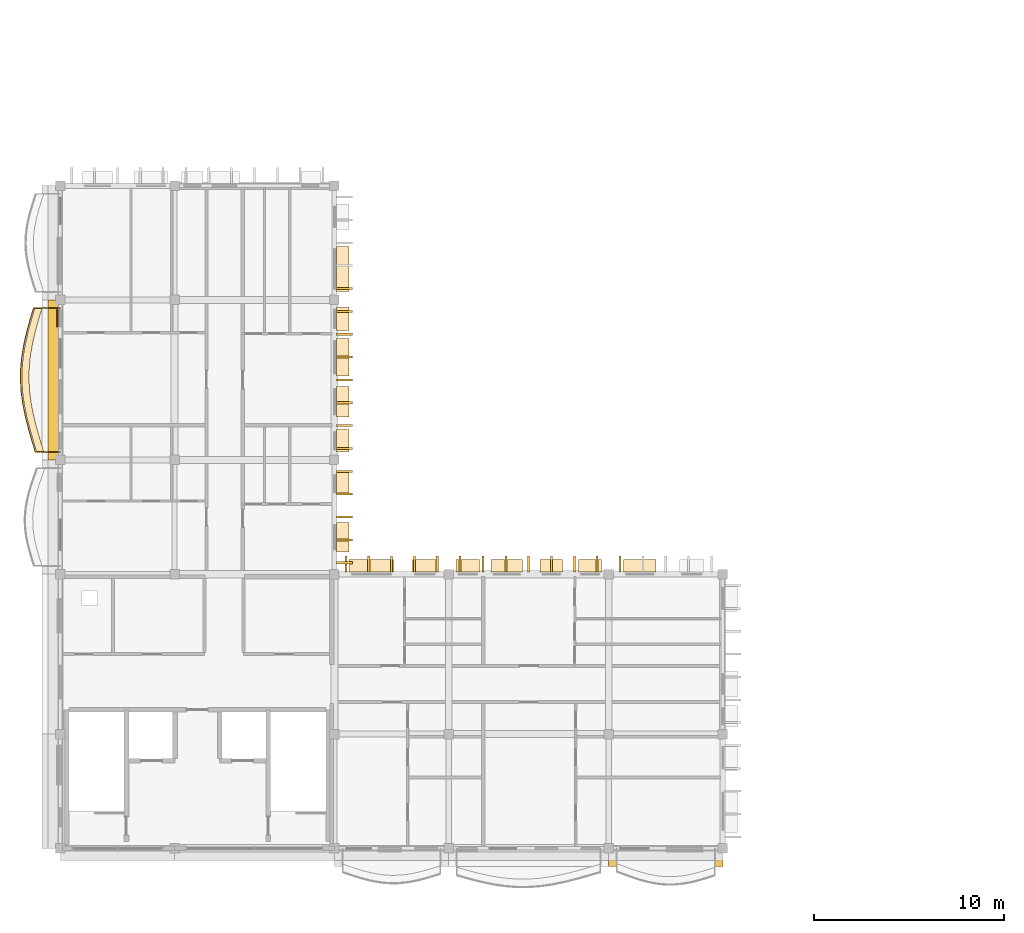
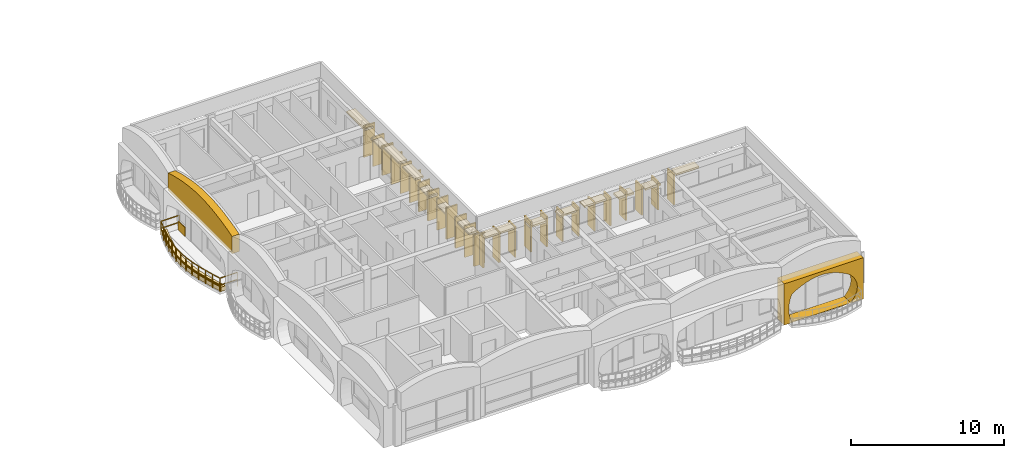
# One storey, part 31 of 45: 44 coverings, 1 railing.
"""IFC4 building model written with IfcOpenShell, lengths in metres."""

from ifc_helpers import new_model, si_unit, direction, frame, origin, origin_2d, place, context, subcontext, project, spatial, polyline, rectangle, outline, extrude, material, layer, layer_set, type_object, element, save


model = new_model("IFC4")

# Units and contexts
model_context = context("Model", 3, precision=1e-05, world=origin(), true_north=direction((0.0, 1.0)))
body_context = subcontext(model_context, "Body", "Model", "MODEL_VIEW")
ifc_project = project(units=[si_unit("LENGTHUNIT", "METRE"), si_unit("AREAUNIT", "SQUARE_METRE"), si_unit("VOLUMEUNIT", "CUBIC_METRE"), si_unit("PLANEANGLEUNIT", "RADIAN"), si_unit("MASSUNIT", "GRAM", prefix="KILO"), si_unit("THERMODYNAMICTEMPERATUREUNIT", "KELVIN")], contexts=[model_context])

# Site, building, storey
site_placement = place(None, origin())
site = spatial("IfcSite", under=ifc_project, at=site_placement, CompositionType="ELEMENT")
building_placement = place(site_placement, origin())
building = spatial("IfcBuilding", under=site, at=building_placement, Name="Thalorik Housing Commons", CompositionType="ELEMENT")
storey_placement = place(building_placement, frame((0.0, 0.0, 34.5)))
storey = spatial("IfcBuildingStorey", under=building, at=storey_placement, Name="L10", CompositionType="ELEMENT", Elevation=34.5)

# Coverings
ifc_material_1 = material(Name="Precast concrete C40/50", Category="concrete")
ifc_layer_1 = layer(ifc_material_1, 0.85009765625, Name="Precast concrete C40/50", Category="concrete")
ifc_layer_set_1 = layer_set([ifc_layer_1], Name="Precast concrete C40/50")
covering_type_1 = type_object("IfcCoveringType", Name="ARC-CLD-CUSH-850", PredefinedType="CLADDING", material=ifc_layer_set_1)
covering_1_placement = place(storey_placement, frame((40.199951171875, 7.867431640625, 0.0), z_axis=(0.0, 0.0, 1.0), x_axis=(1.0, 0.0, 0.0)))
element("IfcCovering", 1, at=covering_1_placement, inside=storey, type_object=covering_type_1, Name="L10 White Precast Curved Cushion Bay Frame 4471", PredefinedType="CLADDING", context=body_context, shape_type="SweptSolid", body=[
    extrude(outline(polyline([(-3.0, 0.0), (3.0, 0.0), (3.0, 3.300048828125), (-3.0, 3.300048828125), (-3.0, 0.0)]), holes=[polyline([(2.0400390625, 0.02490234375), (2.3232421875, 0.3974609375), (2.493408203125, 0.77001953125), (2.550048828125, 1.142578125), (2.493408203125, 1.514892578125), (2.3232421875, 1.887451171875), (2.0400390625, 2.260009765625), (1.66748046875, 2.497314453125), (1.294921875, 2.683837890625), (0.922607421875, 2.8349609375), (0.550048828125, 2.947265625), (0.177490234375, 3.0166015625), (-0.195068359375, 3.0400390625), (-0.5673828125, 3.0166015625), (-0.93994140625, 2.947265625), (-1.3125, 2.8349609375), (-1.68505859375, 2.683837890625), (-2.0576171875, 2.497314453125), (-2.429931640625, 2.260009765625), (-2.55029296875, 1.887451171875), (-2.62255859375, 1.514892578125), (-2.646484375, 1.142578125), (-2.62255859375, 0.77001953125), (-2.55029296875, 0.3974609375), (-2.429931640625, 0.02490234375), (2.0400390625, 0.02490234375)])]), frame((0.0, 0.425048828125, 0.0), z_axis=(0.0, -1.0, 0.0), x_axis=(1.0, 0.0, 0.0)), (0.0, 0.0, 1.0), 0.85009765625),
])
ifc_layer_2 = layer(ifc_material_1, 0.85009765625, Name="Precast concrete C40/50", Category="concrete")
ifc_layer_set_2 = layer_set([ifc_layer_2], Name="Precast concrete C40/50")
covering_type_2 = type_object("IfcCoveringType", Name="ARC-CLD-FIN-850", PredefinedType="CLADDING", material=ifc_layer_set_2)
for number, where, z_axis, x_axis, name in (
    (2, (23.33251953125, 23.39990234375, 0.0400390625), (0.0, 0.0, 1.0), (0.0, 1.0, 0.0), "L10 Courtyard Precast Vertical Brise-Soleil Fin 4415"),
    (3, (23.33251953125, 24.60009765625, 0.0400390625), (0.0, 0.0, 1.0), (0.0, 1.0, 0.0), "L10 Courtyard Precast Vertical Brise-Soleil Fin 4416"),
    (4, (23.33251953125, 25.800048828125, 0.0400390625), (0.0, 0.0, 1.0), (0.0, 1.0, 0.0), "L10 Courtyard Precast Vertical Brise-Soleil Fin 4417"),
    (5, (23.33251953125, 27.0, 0.0400390625), (0.0, 0.0, 1.0), (0.0, 1.0, 0.0), "L10 Courtyard Precast Vertical Brise-Soleil Fin 4418"),
    (6, (23.33251953125, 28.199951171875, 0.0400390625), (0.0, 0.0, 1.0), (0.0, 1.0, 0.0), "L10 Courtyard Precast Vertical Brise-Soleil Fin 4419"),
):
    element("IfcCovering", number, at=place(storey_placement, frame(where, z_axis=z_axis, x_axis=x_axis)), inside=storey, type_object=covering_type_2, Name=name, PredefinedType="CLADDING", context=body_context, shape_type="SweptSolid", body=[
        extrude(rectangle(XDim=0.110107421875, YDim=0.85009765625, at=origin_2d()), origin(), (0.0, 0.0, 1.0), 2.4951171875),
    ])
for number, where, z_axis, x_axis, name in (
    (7, (23.33251953125, 29.39990234375, 0.0400390625), (0.0, 0.0, 1.0), (0.0, 1.0, 0.0), "L10 Courtyard Precast Vertical Brise-Soleil Fin 4422"),
    (8, (23.33251953125, 30.60009765625, 0.0400390625), (0.0, 0.0, 1.0), (0.0, 1.0, 0.0), "L10 Courtyard Precast Vertical Brise-Soleil Fin 4423"),
    (9, (23.33251953125, 31.800048828125, 0.0400390625), (0.0, 0.0, 1.0), (0.0, 1.0, 0.0), "L10 Courtyard Precast Vertical Brise-Soleil Fin 4424"),
    (10, (23.33251953125, 33.0, 0.0400390625), (0.0, 0.0, 1.0), (0.0, 1.0, 0.0), "L10 Courtyard Precast Vertical Brise-Soleil Fin 4425"),
    (11, (23.33251953125, 34.199951171875, 0.0400390625), (0.0, 0.0, 1.0), (0.0, 1.0, 0.0), "L10 Courtyard Precast Vertical Brise-Soleil Fin 4426"),
    (12, (23.33251953125, 35.39990234375, 0.0400390625), (0.0, 0.0, 1.0), (0.0, 1.0, 0.0), "L10 Courtyard Precast Vertical Brise-Soleil Fin 4427"),
    (13, (23.33251953125, 36.60009765625, 0.0400390625), (0.0, 0.0, 1.0), (0.0, 1.0, 0.0), "L10 Courtyard Precast Vertical Brise-Soleil Fin 4428"),
):
    element("IfcCovering", number, at=place(storey_placement, frame(where, z_axis=z_axis, x_axis=x_axis)), inside=storey, type_object=covering_type_2, Name=name, PredefinedType="CLADDING", context=body_context, shape_type="SweptSolid", body=[
        extrude(rectangle(XDim=0.110107421875, YDim=0.85009765625, at=origin_2d()), origin(), (0.0, 0.0, 1.0), 2.344970703125),
    ])
covering_2_placement = place(storey_placement, frame((23.33251953125, 37.800048828125, 0.0400390625), z_axis=(0.0, 0.0, 1.0), x_axis=(0.0, 1.0, 0.0)))
element("IfcCovering", 14, at=covering_2_placement, inside=storey, type_object=covering_type_2, Name="L10 Courtyard Precast Vertical Brise-Soleil Fin 4433", PredefinedType="CLADDING", context=body_context, shape_type="SweptSolid", body=[
    extrude(rectangle(XDim=0.110107421875, YDim=0.85009765625, at=origin_2d()), origin(), (0.0, 0.0, 1.0), 2.4951171875),
])
covering_3_placement = place(storey_placement, frame((37.800048828125, 23.33251953125, 0.0400390625), z_axis=(0.0, 0.0, 1.0), x_axis=(-1.0, 0.0, 0.0)))
element("IfcCovering", 15, at=covering_3_placement, inside=storey, type_object=covering_type_2, Name="L10 Courtyard Precast Vertical Brise-Soleil Fin 4494", PredefinedType="CLADDING", context=body_context, shape_type="SweptSolid", body=[
    extrude(rectangle(XDim=0.110107421875, YDim=0.85009765625, at=origin_2d()), origin(), (0.0, 0.0, 1.0), 2.445068359375),
])
for number, where, z_axis, x_axis, name in (
    (16, (36.60009765625, 23.33251953125, 0.0400390625), (0.0, 0.0, 1.0), (-1.0, 0.0, 0.0), "L10 Courtyard Precast Vertical Brise-Soleil Fin 4497"),
    (17, (35.39990234375, 23.33251953125, 0.0400390625), (0.0, 0.0, 1.0), (-1.0, 0.0, 0.0), "L10 Courtyard Precast Vertical Brise-Soleil Fin 4498"),
    (18, (34.199951171875, 23.33251953125, 0.0400390625), (0.0, 0.0, 1.0), (-1.0, 0.0, 0.0), "L10 Courtyard Precast Vertical Brise-Soleil Fin 4499"),
    (19, (33.0, 23.33251953125, 0.0400390625), (0.0, 0.0, 1.0), (-1.0, 0.0, 0.0), "L10 Courtyard Precast Vertical Brise-Soleil Fin 4500"),
    (20, (31.800048828125, 23.33251953125, 0.0400390625), (0.0, 0.0, 1.0), (-1.0, 0.0, 0.0), "L10 Courtyard Precast Vertical Brise-Soleil Fin 4501"),
    (21, (30.60009765625, 23.33251953125, 0.0400390625), (0.0, 0.0, 1.0), (-1.0, 0.0, 0.0), "L10 Courtyard Precast Vertical Brise-Soleil Fin 4502"),
    (22, (29.39990234375, 23.33251953125, 0.0400390625), (0.0, 0.0, 1.0), (-1.0, 0.0, 0.0), "L10 Courtyard Precast Vertical Brise-Soleil Fin 4503"),
):
    element("IfcCovering", number, at=place(storey_placement, frame(where, z_axis=z_axis, x_axis=x_axis)), inside=storey, type_object=covering_type_2, Name=name, PredefinedType="CLADDING", context=body_context, shape_type="SweptSolid", body=[
        extrude(rectangle(XDim=0.110107421875, YDim=0.85009765625, at=origin_2d()), origin(), (0.0, 0.0, 1.0), 2.294921875),
    ])
for number, where, z_axis, x_axis, name in (
    (23, (28.199951171875, 23.33251953125, 0.0400390625), (0.0, 0.0, 1.0), (-1.0, 0.0, 0.0), "L10 Courtyard Precast Vertical Brise-Soleil Fin 4508"),
    (24, (27.0, 23.33251953125, 0.0400390625), (0.0, 0.0, 1.0), (-1.0, 0.0, 0.0), "L10 Courtyard Precast Vertical Brise-Soleil Fin 4509"),
    (25, (25.800048828125, 23.33251953125, 0.0400390625), (0.0, 0.0, 1.0), (-1.0, 0.0, 0.0), "L10 Courtyard Precast Vertical Brise-Soleil Fin 4510"),
    (26, (24.60009765625, 23.33251953125, 0.0400390625), (0.0, 0.0, 1.0), (-1.0, 0.0, 0.0), "L10 Courtyard Precast Vertical Brise-Soleil Fin 4511"),
    (27, (23.39990234375, 23.33251953125, 0.0400390625), (0.0, 0.0, 1.0), (-1.0, 0.0, 0.0), "L10 Courtyard Precast Vertical Brise-Soleil Fin 4512"),
):
    element("IfcCovering", number, at=place(storey_placement, frame(where, z_axis=z_axis, x_axis=x_axis)), inside=storey, type_object=covering_type_2, Name=name, PredefinedType="CLADDING", context=body_context, shape_type="SweptSolid", body=[
        extrude(rectangle(XDim=0.110107421875, YDim=0.85009765625, at=origin_2d()), origin(), (0.0, 0.0, 1.0), 2.445068359375),
    ])
ifc_layer_3 = layer(ifc_material_1, 0.64990234375, Name="Precast concrete C40/50", Category="concrete")
ifc_layer_set_3 = layer_set([ifc_layer_3], Name="Precast concrete C40/50")
covering_type_3 = type_object("IfcCoveringType", Name="ARC-CLD-HOOD-650", PredefinedType="CLADDING", material=ifc_layer_set_3)
covering_4_placement = place(storey_placement, frame((23.232421875, 24.7353515625, 2.18994140625), z_axis=(0.0, 0.0, 1.0), x_axis=(0.0, 1.0, 0.0)))
element("IfcCovering", 28, at=covering_4_placement, inside=storey, type_object=covering_type_3, Name="L10 Courtyard Precast Window Sun-Hood 4420", PredefinedType="CLADDING", context=body_context, shape_type="SweptSolid", body=[
    extrude(rectangle(XDim=1.5400390625, YDim=0.64990234375, at=origin_2d()), origin(), (0.0, 0.0, 1.0), 0.139892578125),
])
for number, where, z_axis, x_axis, name in (
    (29, (23.232421875, 27.54541015625, 1.93994140625), (0.0, 0.0, 1.0), (0.0, 1.0, 0.0), "L10 Courtyard Precast Window Sun-Hood 4421"),
    (30, (23.232421875, 29.804931640625, 1.93994140625), (0.0, 0.0, 1.0), (0.0, 1.0, 0.0), "L10 Courtyard Precast Window Sun-Hood 4429"),
):
    element("IfcCovering", number, at=place(storey_placement, frame(where, z_axis=z_axis, x_axis=x_axis)), inside=storey, type_object=covering_type_3, Name=name, PredefinedType="CLADDING", context=body_context, shape_type="SweptSolid", body=[
        extrude(rectangle(XDim=1.18994140625, YDim=0.64990234375, at=origin_2d()), origin(), (0.0, 0.0, 1.0), 0.139892578125),
    ])
covering_5_placement = place(storey_placement, frame((23.232421875, 31.857421875, 2.27001953125), z_axis=(0.0, 0.0, 1.0), x_axis=(0.0, 1.0, 0.0)))
element("IfcCovering", 31, at=covering_5_placement, inside=storey, type_object=covering_type_3, Name="L10 Courtyard Precast Window Sun-Hood 4430", PredefinedType="CLADDING", context=body_context, shape_type="SweptSolid", body=[
    extrude(rectangle(XDim=1.6201171875, YDim=0.64990234375, at=origin_2d()), origin(), (0.0, 0.0, 1.0), 0.139892578125),
])
covering_6_placement = place(storey_placement, frame((23.232421875, 34.192138671875, 2.27490234375), z_axis=(0.0, 0.0, 1.0), x_axis=(0.0, 1.0, 0.0)))
element("IfcCovering", 32, at=covering_6_placement, inside=storey, type_object=covering_type_3, Name="L10 Courtyard Precast Window Sun-Hood 4431", PredefinedType="CLADDING", context=body_context, shape_type="SweptSolid", body=[
    extrude(rectangle(XDim=1.9599609375, YDim=0.64990234375, at=origin_2d()), origin(), (0.0, 0.0, 1.0), 0.139892578125),
])
covering_7_placement = place(storey_placement, frame((23.232421875, 36.2197265625, 2.0400390625), z_axis=(0.0, 0.0, 1.0), x_axis=(0.0, 1.0, 0.0)))
element("IfcCovering", 33, at=covering_7_placement, inside=storey, type_object=covering_type_3, Name="L10 Courtyard Precast Window Sun-Hood 4432", PredefinedType="CLADDING", context=body_context, shape_type="SweptSolid", body=[
    extrude(rectangle(XDim=1.239990234375, YDim=0.64990234375, at=origin_2d()), origin(), (0.0, 0.0, 1.0), 0.139892578125),
])
covering_8_placement = place(storey_placement, frame((23.232421875, 38.830078125, 2.22998046875), z_axis=(0.0, 0.0, 1.0), x_axis=(0.0, 1.0, 0.0)))
element("IfcCovering", 34, at=covering_8_placement, inside=storey, type_object=covering_type_3, Name="L10 Courtyard Precast Window Sun-Hood 4438", PredefinedType="CLADDING", context=body_context, shape_type="SweptSolid", body=[
    extrude(rectangle(XDim=2.360107421875, YDim=0.64990234375, at=origin_2d()), origin(), (0.0, 0.0, 1.0), 0.139892578125),
])
covering_9_placement = place(storey_placement, frame((38.830078125, 23.232421875, 2.31005859375), z_axis=(0.0, 0.0, 1.0), x_axis=(-1.0, 0.0, 0.0)))
element("IfcCovering", 35, at=covering_9_placement, inside=storey, type_object=covering_type_3, Name="L10 Courtyard Precast Window Sun-Hood 4496", PredefinedType="CLADDING", context=body_context, shape_type="SweptSolid", body=[
    extrude(rectangle(XDim=1.719970703125, YDim=0.64990234375, at=origin_2d()), origin(), (0.0, 0.0, 1.0), 0.139892578125),
])
for number, where, z_axis, x_axis, name in (
    (36, (36.2197265625, 23.232421875, 1.93994140625), (0.0, 0.0, 1.0), (-1.0, 0.0, 0.0), "L10 Courtyard Precast Window Sun-Hood 4504"),
    (37, (34.192138671875, 23.232421875, 1.93994140625), (0.0, 0.0, 1.0), (-1.0, 0.0, 0.0), "L10 Courtyard Precast Window Sun-Hood 4505"),
):
    element("IfcCovering", number, at=place(storey_placement, frame(where, z_axis=z_axis, x_axis=x_axis)), inside=storey, type_object=covering_type_3, Name=name, PredefinedType="CLADDING", context=body_context, shape_type="SweptSolid", body=[
        extrude(rectangle(XDim=1.18994140625, YDim=0.64990234375, at=origin_2d()), origin(), (0.0, 0.0, 1.0), 0.139892578125),
    ])
covering_10_placement = place(storey_placement, frame((31.857421875, 23.232421875, 2.169921875), z_axis=(0.0, 0.0, 1.0), x_axis=(-1.0, 0.0, 0.0)))
element("IfcCovering", 38, at=covering_10_placement, inside=storey, type_object=covering_type_3, Name="L10 Courtyard Precast Window Sun-Hood 4506", PredefinedType="CLADDING", context=body_context, shape_type="SweptSolid", body=[
    extrude(rectangle(XDim=1.659912109375, YDim=0.64990234375, at=origin_2d()), origin(), (0.0, 0.0, 1.0), 0.139892578125),
])
covering_11_placement = place(storey_placement, frame((29.804931640625, 23.232421875, 2.0400390625), z_axis=(0.0, 0.0, 1.0), x_axis=(-1.0, 0.0, 0.0)))
element("IfcCovering", 39, at=covering_11_placement, inside=storey, type_object=covering_type_3, Name="L10 Courtyard Precast Window Sun-Hood 4507", PredefinedType="CLADDING", context=body_context, shape_type="SweptSolid", body=[
    extrude(rectangle(XDim=1.239990234375, YDim=0.64990234375, at=origin_2d()), origin(), (0.0, 0.0, 1.0), 0.139892578125),
])
covering_12_placement = place(storey_placement, frame((27.54541015625, 23.232421875, 1.990234375), z_axis=(0.0, 0.0, 1.0), x_axis=(-1.0, 0.0, 0.0)))
element("IfcCovering", 40, at=covering_12_placement, inside=storey, type_object=covering_type_3, Name="L10 Courtyard Precast Window Sun-Hood 4513", PredefinedType="CLADDING", context=body_context, shape_type="SweptSolid", body=[
    extrude(rectangle(XDim=1.2900390625, YDim=0.64990234375, at=origin_2d()), origin(), (0.0, 0.0, 1.0), 0.139892578125),
])
covering_13_placement = place(storey_placement, frame((24.7353515625, 23.232421875, 2.31005859375), z_axis=(0.0, 0.0, 1.0), x_axis=(-1.0, 0.0, 0.0)))
element("IfcCovering", 41, at=covering_13_placement, inside=storey, type_object=covering_type_3, Name="L10 Courtyard Precast Window Sun-Hood 4514", PredefinedType="CLADDING", context=body_context, shape_type="SweptSolid", body=[
    extrude(rectangle(XDim=2.320068359375, YDim=0.64990234375, at=origin_2d()), origin(), (0.0, 0.0, 1.0), 0.139892578125),
])
ifc_layer_4 = layer(ifc_material_1, 0.550048828125, Name="Precast concrete C40/50", Category="concrete")
ifc_layer_set_4 = layer_set([ifc_layer_4], Name="Precast concrete C40/50")
covering_type_4 = type_object("IfcCoveringType", Name="ARC-CLD-PAR-550", PredefinedType="CLADDING", material=ifc_layer_set_4)
covering_14_placement = place(storey_placement, frame((8.04248046875, 33.0, 3.06005859375), z_axis=(0.0, 0.0, 1.0), x_axis=(0.0, -1.0, 0.0)))
element("IfcCovering", 42, at=covering_14_placement, inside=storey, type_object=covering_type_4, Name="L10 Block C Scalloped White Precast Parapet Crest 4516", PredefinedType="CLADDING", context=body_context, shape_type="SweptSolid", body=[
    extrude(outline(polyline([(-4.199951171875, 0.0), (4.199951171875, 0.0), (4.199951171875, 1.3798828125), (3.5, 1.58154296875), (2.800048828125, 1.744384765625), (2.10009765625, 1.877685546875), (1.39990234375, 1.977294921875), (0.699951171875, 2.0390625), (0.0, 2.06005859375), (-0.699951171875, 2.0390625), (-1.39990234375, 1.977294921875), (-2.10009765625, 1.877685546875), (-2.800048828125, 1.744384765625), (-3.5, 1.58154296875), (-4.199951171875, 1.3798828125), (-4.199951171875, 0.0)])), frame((0.0, 0.27490234375, 0.0), z_axis=(0.0, -1.0, 0.0), x_axis=(1.0, 0.0, 0.0)), (0.0, 0.0, 1.0), 0.550048828125),
])
ifc_material_2 = material(Name="Mineral ochre architectural terracotta panel", Category="masonry")
ifc_layer_5 = layer(ifc_material_2, 0.06494140625, Name="Mineral ochre architectural terracotta panel", Category="masonry")
ifc_layer_set_5 = layer_set([ifc_layer_5], Name="Mineral ochre architectural terracotta panel")
covering_type_5 = type_object("IfcCoveringType", Name="ARC-CLD-YEL-65", PredefinedType="CLADDING", material=ifc_layer_set_5)
covering_15_placement = place(storey_placement, frame((8.2548828125, 36.2451171875, 0.0498046875), z_axis=(0.0, 0.0, 1.0), x_axis=(0.0, -1.0, 0.0)))
element("IfcCovering", 43, at=covering_15_placement, inside=storey, type_object=covering_type_5, Name="L10 De Stijl Recessed Window Spandrel 4460", PredefinedType="CLADDING", context=body_context, shape_type="SweptSolid", body=[
    extrude(rectangle(XDim=0.89990234375, YDim=0.06494140625, at=origin_2d()), origin(), (0.0, 0.0, 1.0), 0.699951171875),
])
ifc_material_3 = material(Name="Planted vegetated substrate and terracotta trough", Category="masonry")
ifc_layer_6 = layer(ifc_material_3, 0.340087890625, Name="Planted vegetated substrate and terracotta trough", Category="masonry")
ifc_layer_set_6 = layer_set([ifc_layer_6], Name="Planted vegetated substrate and terracotta trough")
covering_type_6 = type_object("IfcCoveringType", Name="ARC-COV-PLANTER", PredefinedType="USERDEFINED", material=ifc_layer_set_6)
covering_16_placement = place(storey_placement, origin())
element("IfcCovering", 44, at=covering_16_placement, inside=storey, type_object=covering_type_6, Name="L10 Balcony Slab-Edge Planted Trough 5640", ObjectType="PLANTER", PredefinedType="USERDEFINED", context=body_context, shape_type="SweptSolid", body=[
    extrude(outline(polyline([(7.064208984375, 36.780029296875), (6.87646484375, 36.14990234375), (6.70458984375, 35.52001953125), (6.560302734375, 34.889892578125), (6.45361328125, 34.260009765625), (6.3916015625, 33.6298828125), (6.379150390625, 33.0), (6.41650390625, 32.3701171875), (6.5009765625, 31.739990234375), (6.627197265625, 31.110107421875), (6.78564453125, 30.47998046875), (6.9658203125, 29.85009765625), (7.155029296875, 29.219970703125), (7.534912109375, 29.219970703125), (7.345703125, 29.85009765625), (7.165771484375, 30.47998046875), (7.007080078125, 31.110107421875), (6.881103515625, 31.739990234375), (6.79638671875, 32.3701171875), (6.759033203125, 33.0), (6.771728515625, 33.6298828125), (6.83349609375, 34.260009765625), (6.940185546875, 34.889892578125), (7.08447265625, 35.52001953125), (7.256591796875, 36.14990234375), (7.444091796875, 36.780029296875), (7.064208984375, 36.780029296875)])), origin(), (0.0, 0.0, 1.0), 0.340087890625),
])

# Railing
ifc_material_4 = material(Name="Steel S355", Category="steel")
railing_type = type_object("IfcRailingType", Name="ARC-RL-BAL-112", PredefinedType="BALUSTRADE", material=ifc_material_4)
railing_placement = place(storey_placement, frame((8.39990234375, 36.780029296875, 0.0)))
element("IfcRailing", 45, at=railing_placement, inside=storey, type_object=railing_type, Name="L10 Cushion Balcony Guardrail 324", PredefinedType="BALUSTRADE", context=body_context, shape_type="SweptSolid", body=[
    extrude(rectangle(XDim=0.050048828125, YDim=0.050048828125, at=origin_2d()), frame((0.0, 0.0, 1.09521484375), z_axis=(-1.0, 0.0, 0.0), x_axis=(0.0, -1.0, 0.0)), (0.0, 0.0, 1.0), 1.40576171875),
    extrude(rectangle(XDim=0.050048828125, YDim=0.050048828125, at=origin_2d()), frame((0.0, 0.0, 0.53515625), z_axis=(-1.0, 0.0, 0.0), x_axis=(0.0, -1.0, 0.0)), (0.0, 0.0, 1.0), 1.40576171875),
    extrude(rectangle(XDim=0.050048828125, YDim=0.050048828125, at=origin_2d()), frame((-1.40576171875, 0.0, 1.09521484375), z_axis=(-0.285541894298, -0.958366227807, 0.0), x_axis=(0.958366227807, -0.285541894298, 0.0)), (0.0, 0.0, 1.0), 0.657470703125),
    extrude(rectangle(XDim=0.050048828125, YDim=0.050048828125, at=origin_2d()), frame((-1.40576171875, 0.0, 0.53515625), z_axis=(-0.285541894298, -0.958366227807, 0.0), x_axis=(0.958366227807, -0.285541894298, 0.0)), (0.0, 0.0, 1.0), 0.657470703125),
    extrude(rectangle(XDim=0.050048828125, YDim=0.050048828125, at=origin_2d()), frame((-1.593505859375, -0.630126953125, 1.09521484375), z_axis=(-0.263243963126, -0.964729296683, 0.0), x_axis=(0.964729296683, -0.263243963126, 0.0)), (0.0, 0.0, 1.0), 0.65283203125),
    extrude(rectangle(XDim=0.050048828125, YDim=0.050048828125, at=origin_2d()), frame((-1.593505859375, -0.630126953125, 0.53515625), z_axis=(-0.263243963126, -0.964729296683, 0.0), x_axis=(0.964729296683, -0.263243963126, 0.0)), (0.0, 0.0, 1.0), 0.65283203125),
    extrude(rectangle(XDim=0.050048828125, YDim=0.050048828125, at=origin_2d()), frame((-1.765380859375, -1.260009765625, 1.09521484375), z_axis=(-0.223204214708, -0.974771705856, 0.0), x_axis=(0.974771705856, -0.223204214708, 0.0)), (0.0, 0.0, 1.0), 0.646484375),
    extrude(rectangle(XDim=0.050048828125, YDim=0.050048828125, at=origin_2d()), frame((-1.765380859375, -1.260009765625, 0.53515625), z_axis=(-0.223204214708, -0.974771705856, 0.0), x_axis=(0.974771705856, -0.223204214708, 0.0)), (0.0, 0.0, 1.0), 0.646484375),
    extrude(rectangle(XDim=0.050048828125, YDim=0.050048828125, at=origin_2d()), frame((-1.90966796875, -1.89013671875, 1.09521484375), z_axis=(-0.167001191921, -0.985956693723, 0.0), x_axis=(0.985956693723, -0.167001191921, 0.0)), (0.0, 0.0, 1.0), 0.638916015625),
    extrude(rectangle(XDim=0.050048828125, YDim=0.050048828125, at=origin_2d()), frame((-1.90966796875, -1.89013671875, 0.53515625), z_axis=(-0.167001191921, -0.985956693723, 0.0), x_axis=(0.985956693723, -0.167001191921, 0.0)), (0.0, 0.0, 1.0), 0.638916015625),
    extrude(rectangle(XDim=0.050048828125, YDim=0.050048828125, at=origin_2d()), frame((-2.016357421875, -2.52001953125, 1.09521484375), z_axis=(-0.097556446466, -0.995229993395, 0.0), x_axis=(0.995229993395, -0.097556446466, 0.0)), (0.0, 0.0, 1.0), 0.633056640625),
    extrude(rectangle(XDim=0.050048828125, YDim=0.050048828125, at=origin_2d()), frame((-2.016357421875, -2.52001953125, 0.53515625), z_axis=(-0.097556446466, -0.995229993395, 0.0), x_axis=(0.995229993395, -0.097556446466, 0.0)), (0.0, 0.0, 1.0), 0.633056640625),
    extrude(rectangle(XDim=0.050048828125, YDim=0.050048828125, at=origin_2d()), frame((-2.078125, -3.150146484375, 1.09521484375), z_axis=(-0.02015094626, -0.999796949068, 0.0), x_axis=(0.999796949068, -0.02015094626, 0.0)), (0.0, 0.0, 1.0), 0.630126953125),
    extrude(rectangle(XDim=0.050048828125, YDim=0.050048828125, at=origin_2d()), frame((-2.078125, -3.150146484375, 0.53515625), z_axis=(-0.02015094626, -0.999796949068, 0.0), x_axis=(0.999796949068, -0.02015094626, 0.0)), (0.0, 0.0, 1.0), 0.630126953125),
    extrude(rectangle(XDim=0.050048828125, YDim=0.050048828125, at=origin_2d()), frame((-2.0908203125, -3.780029296875, 1.09521484375), z_axis=(0.059198323618, -0.998246241406, 0.0), x_axis=(0.998246241406, 0.059198323618, 0.0)), (0.0, 0.0, 1.0), 0.631103515625),
    extrude(rectangle(XDim=0.050048828125, YDim=0.050048828125, at=origin_2d()), frame((-2.0908203125, -3.780029296875, 0.53515625), z_axis=(0.059198323618, -0.998246241406, 0.0), x_axis=(0.998246241406, 0.059198323618, 0.0)), (0.0, 0.0, 1.0), 0.631103515625),
    extrude(rectangle(XDim=0.050048828125, YDim=0.050048828125, at=origin_2d()), frame((-2.053466796875, -4.409912109375, 1.09521484375), z_axis=(0.132867987341, -0.99113374372, 0.0), x_axis=(0.99113374372, 0.132867987341, 0.0)), (0.0, 0.0, 1.0), 0.6357421875),
    extrude(rectangle(XDim=0.050048828125, YDim=0.050048828125, at=origin_2d()), frame((-2.053466796875, -4.409912109375, 0.53515625), z_axis=(0.132867987341, -0.99113374372, 0.0), x_axis=(0.99113374372, 0.132867987341, 0.0)), (0.0, 0.0, 1.0), 0.6357421875),
    extrude(rectangle(XDim=0.050048828125, YDim=0.050048828125, at=origin_2d()), frame((-1.968994140625, -5.0400390625, 1.09521484375), z_axis=(0.196481546208, -0.980507522663, 0.0), x_axis=(0.980507522663, 0.196481546208, 0.0)), (0.0, 0.0, 1.0), 0.642333984375),
    extrude(rectangle(XDim=0.050048828125, YDim=0.050048828125, at=origin_2d()), frame((-1.968994140625, -5.0400390625, 0.53515625), z_axis=(0.196481546208, -0.980507522663, 0.0), x_axis=(0.980507522663, 0.196481546208, 0.0)), (0.0, 0.0, 1.0), 0.642333984375),
    extrude(rectangle(XDim=0.050048828125, YDim=0.050048828125, at=origin_2d()), frame((-1.8427734375, -5.669921875, 1.09521484375), z_axis=(0.244214929817, -0.969721129013, 0.0), x_axis=(0.969721129013, 0.244214929817, 0.0)), (0.0, 0.0, 1.0), 0.64990234375),
    extrude(rectangle(XDim=0.050048828125, YDim=0.050048828125, at=origin_2d()), frame((-1.8427734375, -5.669921875, 0.53515625), z_axis=(0.244214929817, -0.969721129013, 0.0), x_axis=(0.969721129013, 0.244214929817, 0.0)), (0.0, 0.0, 1.0), 0.64990234375),
    extrude(rectangle(XDim=0.050048828125, YDim=0.050048828125, at=origin_2d()), frame((-1.68408203125, -6.300048828125, 1.09521484375), z_axis=(0.274671904442, -0.961538010122, 0.0), x_axis=(0.961538010122, 0.274671904442, 0.0)), (0.0, 0.0, 1.0), 0.655029296875),
    extrude(rectangle(XDim=0.050048828125, YDim=0.050048828125, at=origin_2d()), frame((-1.68408203125, -6.300048828125, 0.53515625), z_axis=(0.274671904442, -0.961538010122, 0.0), x_axis=(0.961538010122, 0.274671904442, 0.0)), (0.0, 0.0, 1.0), 0.655029296875),
    extrude(rectangle(XDim=0.050048828125, YDim=0.050048828125, at=origin_2d()), frame((-1.504150390625, -6.929931640625, 1.09521484375), z_axis=(0.287586184254, -0.957754763301, 0.0), x_axis=(0.957754763301, 0.287586184254, 0.0)), (0.0, 0.0, 1.0), 0.657958984375),
    extrude(rectangle(XDim=0.050048828125, YDim=0.050048828125, at=origin_2d()), frame((-1.504150390625, -6.929931640625, 0.53515625), z_axis=(0.287586184254, -0.957754763301, 0.0), x_axis=(0.957754763301, 0.287586184254, 0.0)), (0.0, 0.0, 1.0), 0.657958984375),
    extrude(rectangle(XDim=0.050048828125, YDim=0.050048828125, at=origin_2d()), frame((-1.31494140625, -7.56005859375, 1.09521484375), z_axis=(1.0, 0.0, 0.0), x_axis=(0.0, 1.0, 0.0)), (0.0, 0.0, 1.0), 1.31494140625),
    extrude(rectangle(XDim=0.050048828125, YDim=0.050048828125, at=origin_2d()), frame((-1.31494140625, -7.56005859375, 0.53515625), z_axis=(1.0, 0.0, 0.0), x_axis=(0.0, 1.0, 0.0)), (0.0, 0.0, 1.0), 1.31494140625),
    extrude(rectangle(XDim=0.0419921875, YDim=0.0419921875, at=origin_2d()), origin(), (0.0, 0.0, 1.0), 1.070068359375),
    extrude(rectangle(XDim=0.0419921875, YDim=0.0419921875, at=origin_2d()), frame((-1.40576171875, 0.0, 0.0)), (0.0, 0.0, 1.0), 1.070068359375),
    extrude(rectangle(XDim=0.0419921875, YDim=0.0419921875, at=origin_2d()), frame((-1.593505859375, -0.630126953125, 0.0)), (0.0, 0.0, 1.0), 1.070068359375),
    extrude(rectangle(XDim=0.0419921875, YDim=0.0419921875, at=origin_2d()), frame((-1.765380859375, -1.260009765625, 0.0)), (0.0, 0.0, 1.0), 1.070068359375),
    extrude(rectangle(XDim=0.0419921875, YDim=0.0419921875, at=origin_2d()), frame((-1.90966796875, -1.89013671875, 0.0)), (0.0, 0.0, 1.0), 1.070068359375),
    extrude(rectangle(XDim=0.0419921875, YDim=0.0419921875, at=origin_2d()), frame((-2.016357421875, -2.52001953125, 0.0)), (0.0, 0.0, 1.0), 1.070068359375),
    extrude(rectangle(XDim=0.0419921875, YDim=0.0419921875, at=origin_2d()), frame((-2.078125, -3.150146484375, 0.0)), (0.0, 0.0, 1.0), 1.070068359375),
    extrude(rectangle(XDim=0.0419921875, YDim=0.0419921875, at=origin_2d()), frame((-2.0908203125, -3.780029296875, 0.0)), (0.0, 0.0, 1.0), 1.070068359375),
    extrude(rectangle(XDim=0.0419921875, YDim=0.0419921875, at=origin_2d()), frame((-2.053466796875, -4.409912109375, 0.0)), (0.0, 0.0, 1.0), 1.070068359375),
    extrude(rectangle(XDim=0.0419921875, YDim=0.0419921875, at=origin_2d()), frame((-1.968994140625, -5.0400390625, 0.0)), (0.0, 0.0, 1.0), 1.070068359375),
    extrude(rectangle(XDim=0.0419921875, YDim=0.0419921875, at=origin_2d()), frame((-1.8427734375, -5.669921875, 0.0)), (0.0, 0.0, 1.0), 1.070068359375),
    extrude(rectangle(XDim=0.0419921875, YDim=0.0419921875, at=origin_2d()), frame((-1.68408203125, -6.300048828125, 0.0)), (0.0, 0.0, 1.0), 1.070068359375),
    extrude(rectangle(XDim=0.0419921875, YDim=0.0419921875, at=origin_2d()), frame((-1.504150390625, -6.929931640625, 0.0)), (0.0, 0.0, 1.0), 1.070068359375),
    extrude(rectangle(XDim=0.0419921875, YDim=0.0419921875, at=origin_2d()), frame((-1.31494140625, -7.56005859375, 0.0)), (0.0, 0.0, 1.0), 1.070068359375),
    extrude(rectangle(XDim=0.0419921875, YDim=0.0419921875, at=origin_2d()), frame((0.0, -7.56005859375, 0.0)), (0.0, 0.0, 1.0), 1.070068359375),
])

save(model, "model.ifc")
